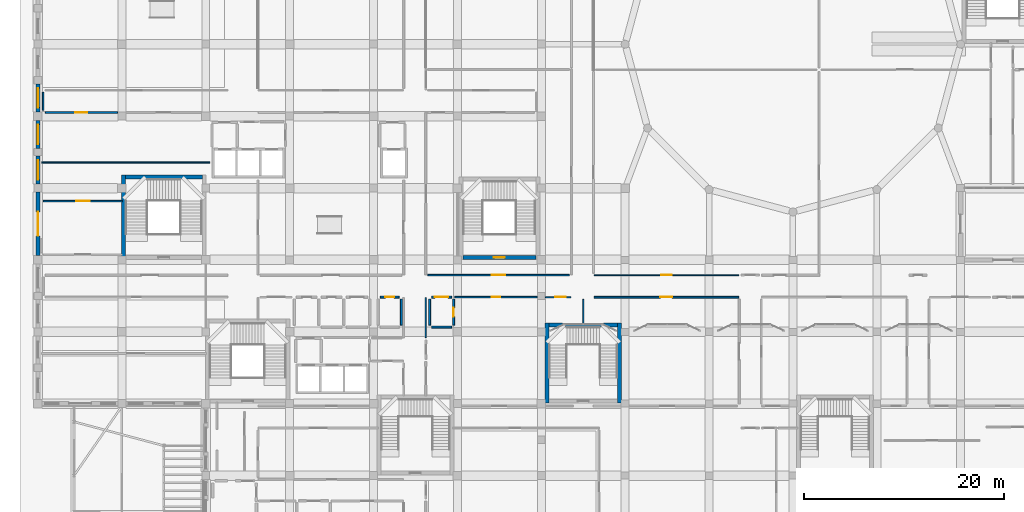
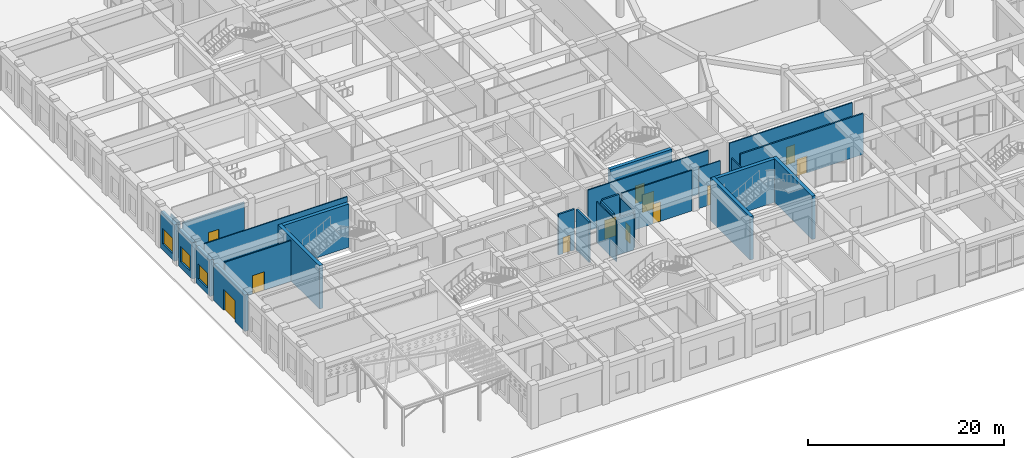
# One storey, part 63 of 84: 27 walls, 12 doors, 3 windows, 15 openings.
"""IFC4 building model written with IfcOpenShell, lengths in metres."""

from ifc_helpers import new_model, si_unit, derived_unit, direction, frame, frame_2d, origin, place, context, subcontext, project, spatial, rectangle, extrude, material, layer, layer_set, type_object, element, fill, save


model = new_model("IFC4")

# Units and contexts
model_context = context("Model", 3, precision=1e-05, world=origin(), true_north=direction((0.0, 1.0)))
body_context = subcontext(model_context, "Body", "Model", "MODEL_VIEW")
ifc_project = project(units=[si_unit("LENGTHUNIT", "METRE"), si_unit("AREAUNIT", "SQUARE_METRE"), si_unit("VOLUMEUNIT", "CUBIC_METRE"), si_unit("PLANEANGLEUNIT", "RADIAN"), si_unit("MASSUNIT", "GRAM", prefix="KILO"), derived_unit("THERMALTRANSMITTANCEUNIT", [(si_unit("POWERUNIT", "WATT"), 1), (si_unit("LENGTHUNIT", "METRE"), -2), (si_unit("THERMODYNAMICTEMPERATUREUNIT", "KELVIN"), -1)])], contexts=[model_context])

# Site, building, storey
site_placement = place(None, origin())
site = spatial("IfcSite", under=ifc_project, at=site_placement, CompositionType="ELEMENT")
building_placement = place(site_placement, origin())
building = spatial("IfcBuilding", under=site, at=building_placement, Name="Veybourne Emporium", CompositionType="ELEMENT")
storey_placement = place(building_placement, origin())
storey = spatial("IfcBuildingStorey", under=building, at=storey_placement, Name="L00", CompositionType="ELEMENT", Elevation=0.0)

# Wall, opening, door
ifc_material_1 = material(Name="Honed Black Granite Plinth", Category="masonry")
ifc_layer_1 = layer(ifc_material_1, 0.419921875)
ifc_layer_set_1 = layer_set([ifc_layer_1], Name="Honed Black Granite Plinth")
wall_type_1 = type_object("IfcWallType", Name="ExtWall_EW-02", PredefinedType="SOLIDWALL", material=ifc_layer_set_1)
wall_1_placement = place(storey_placement, frame((0.0, 29.22509765625, 0.0), z_axis=(0.0, 0.0, 1.0), x_axis=(0.0, 1.0, 0.0)))
wall_1 = element("IfcWall", 1, at=wall_1_placement, inside=storey, type_object=wall_type_1, Name="Ground street granite plinth entrance wall 004", PredefinedType="SOLIDWALL", context=body_context, shape_type="SweptSolid", body=[
    extrude(rectangle(XDim=6.375, YDim=0.419921875, at=frame_2d((3.1875, 0.0))), origin(), (0.0, 0.0, 1.0), 4.530029296875),
])
opening_1_placement = place(wall_1_placement, frame((1.987548828125, 0.0, 0.0)))
opening_1 = element("IfcOpeningElement", 2, at=opening_1_placement, cuts=wall_1, Name="Opening EX-03", PredefinedType="OPENING", context=body_context, shape_type="SweptSolid", body=[
    extrude(rectangle(XDim=2.39990234375, YDim=2.60009765625, at=frame_2d((1.199951171875, 1.300048828125))), frame((0.0, 0.22998046875, 0.0), z_axis=(0.0, -1.0, 0.0), x_axis=(1.0, 0.0, 0.0)), (0.0, 0.0, 1.0), 0.4599609375),
])
ifc_material_2 = material(Name="Patinated Architectural Bronze", Category="bronze")
door_type_1 = type_object("IfcDoorType", Name="ExitDoor_EX-03", OperationType="DOUBLE_DOOR_SINGLE_SWING", PredefinedType="DOOR", material=ifc_material_2)
door_1_placement = place(opening_1_placement, origin())
door_1 = element("IfcDoor", 3, at=door_1_placement, inside=storey, type_object=door_type_1, Name="Pedestrian final exit door EX-03 #02", OperationType="DOUBLE_DOOR_SINGLE_SWING", OverallHeight=2.60009765625, OverallWidth=2.39990234375, PredefinedType="DOOR", context=body_context, shape_type="SweptSolid", body=[
    extrude(rectangle(XDim=2.39990234375, YDim=2.60009765625, at=frame_2d((1.199951171875, 1.300048828125))), frame((0.0, 0.02490234375, 0.0), z_axis=(0.0, -1.0, 0.0), x_axis=(1.0, 0.0, 0.0)), (0.0, 0.0, 1.0), 0.050048828125),
])
fill(opening_1, door_1)

# Wall, opening, window
wall_2_placement = place(storey_placement, frame((0.0, 36.39990234375, 0.0), z_axis=(0.0, 0.0, 1.0), x_axis=(0.0, 1.0, 0.0)))
wall_2 = element("IfcWall", 4, at=wall_2_placement, inside=storey, type_object=wall_type_1, Name="L00 Portland stone external wall 005A", PredefinedType="SOLIDWALL", context=body_context, shape_type="SweptSolid", body=[
    extrude(rectangle(XDim=2.830078125, YDim=0.419921875, at=frame_2d((1.4150390625, 0.0))), origin(), (0.0, 0.0, 1.0), 4.530029296875),
])
opening_2_placement = place(wall_2_placement, frame((0.425048828125, 0.0, 0.75)))
opening_2 = element("IfcOpeningElement", 5, at=opening_2_placement, cuts=wall_2, Name="Opening W-06", PredefinedType="OPENING", context=body_context, shape_type="SweptSolid", body=[
    extrude(rectangle(XDim=1.97998046875, YDim=1.89990234375, at=frame_2d((0.989990234375, 0.949951171875))), frame((0.0, 0.22998046875, 0.0), z_axis=(0.0, -1.0, 0.0), x_axis=(1.0, 0.0, 0.0)), (0.0, 0.0, 1.0), 0.4599609375),
])
ifc_material_3 = material(Name="Low-E Triple Glazing", Category="glass")
window_type_1 = type_object("IfcWindowType", Name="Win_W-06", PartitioningType="TRIPLE_PANEL_VERTICAL", PredefinedType="WINDOW", material=ifc_material_3)
window_1_placement = place(opening_2_placement, origin())
window_1 = element("IfcWindow", 6, at=window_1_placement, inside=storey, type_object=window_type_1, Name="L00 tripartite bronze casement window W-06 (5A)", OverallHeight=1.89990234375, OverallWidth=1.97998046875, PartitioningType="TRIPLE_PANEL_VERTICAL", PredefinedType="WINDOW", context=body_context, shape_type="SweptSolid", body=[
    extrude(rectangle(XDim=1.97998046875, YDim=1.89990234375, at=frame_2d((0.989990234375, 0.949951171875))), frame((0.0, 0.030029296875, 0.0), z_axis=(0.0, -1.0, 0.0), x_axis=(1.0, 0.0, 0.0)), (0.0, 0.0, 1.0), 0.06005859375),
])
fill(opening_2, window_1)

wall_3_placement = place(storey_placement, frame((0.0, 39.969970703125, 0.0), z_axis=(0.0, 0.0, 1.0), x_axis=(0.0, 1.0, 0.0)))
wall_3 = element("IfcWall", 7, at=wall_3_placement, inside=storey, type_object=wall_type_1, Name="L00 Portland stone external wall 005B", PredefinedType="SOLIDWALL", context=body_context, shape_type="SweptSolid", body=[
    extrude(rectangle(XDim=2.804931640625, YDim=0.419921875, at=frame_2d((1.40234375, 0.0))), origin(), (0.0, 0.0, 1.0), 4.530029296875),
])
opening_3_placement = place(wall_3_placement, frame((0.422607421875, 0.0, 0.75)))
opening_3 = element("IfcOpeningElement", 8, at=opening_3_placement, cuts=wall_3, Name="Opening W-07", PredefinedType="OPENING", context=body_context, shape_type="SweptSolid", body=[
    extrude(rectangle(XDim=1.9599609375, YDim=1.89990234375, at=frame_2d((0.97998046875, 0.949951171875))), frame((0.0, 0.22998046875, 0.0), z_axis=(0.0, -1.0, 0.0), x_axis=(1.0, 0.0, 0.0)), (0.0, 0.0, 1.0), 0.4599609375),
])
window_type_2 = type_object("IfcWindowType", Name="Win_W-07", PartitioningType="TRIPLE_PANEL_VERTICAL", PredefinedType="WINDOW", material=ifc_material_3)
window_2_placement = place(opening_3_placement, origin())
window_2 = element("IfcWindow", 9, at=window_2_placement, inside=storey, type_object=window_type_2, Name="L00 tripartite bronze casement window W-07 (5B)", OverallHeight=1.89990234375, OverallWidth=1.9599609375, PartitioningType="TRIPLE_PANEL_VERTICAL", PredefinedType="WINDOW", context=body_context, shape_type="SweptSolid", body=[
    extrude(rectangle(XDim=1.9599609375, YDim=1.89990234375, at=frame_2d((0.97998046875, 0.949951171875))), frame((0.0, 0.030029296875, 0.0), z_axis=(0.0, -1.0, 0.0), x_axis=(1.0, 0.0, 0.0)), (0.0, 0.0, 1.0), 0.06005859375),
])
fill(opening_3, window_2)

wall_4_placement = place(storey_placement, frame((0.0, 43.625, 0.0), z_axis=(0.0, 0.0, 1.0), x_axis=(0.0, 1.0, 0.0)))
wall_4 = element("IfcWall", 10, at=wall_4_placement, inside=storey, type_object=wall_type_1, Name="L00 Portland stone external wall 006A", PredefinedType="SOLIDWALL", context=body_context, shape_type="SweptSolid", body=[
    extrude(rectangle(XDim=2.804931640625, YDim=0.419921875, at=frame_2d((1.40234375, 0.0))), origin(), (0.0, 0.0, 1.0), 4.530029296875),
])
opening_4_placement = place(wall_4_placement, frame((0.422607421875, 0.0, 0.75)))
opening_4 = element("IfcOpeningElement", 11, at=opening_4_placement, cuts=wall_4, Name="Opening W-08", PredefinedType="OPENING", context=body_context, shape_type="SweptSolid", body=[
    extrude(rectangle(XDim=1.9599609375, YDim=1.89990234375, at=frame_2d((0.97998046875, 0.949951171875))), frame((0.0, 0.22998046875, 0.0), z_axis=(0.0, -1.0, 0.0), x_axis=(1.0, 0.0, 0.0)), (0.0, 0.0, 1.0), 0.4599609375),
])
window_type_3 = type_object("IfcWindowType", Name="Win_W-08", PartitioningType="TRIPLE_PANEL_VERTICAL", PredefinedType="WINDOW", material=ifc_material_3)
window_3_placement = place(opening_4_placement, origin())
window_3 = element("IfcWindow", 12, at=window_3_placement, inside=storey, type_object=window_type_3, Name="L00 tripartite bronze casement window W-08 (6A)", OverallHeight=1.89990234375, OverallWidth=1.9599609375, PartitioningType="TRIPLE_PANEL_VERTICAL", PredefinedType="WINDOW", context=body_context, shape_type="SweptSolid", body=[
    extrude(rectangle(XDim=1.9599609375, YDim=1.89990234375, at=frame_2d((0.97998046875, 0.949951171875))), frame((0.0, 0.030029296875, 0.0), z_axis=(0.0, -1.0, 0.0), x_axis=(1.0, 0.0, 0.0)), (0.0, 0.0, 1.0), 0.06005859375),
])
fill(opening_4, window_3)

# Walls
ifc_material_4 = material(Name="Concrete C40/50", Category="concrete")
ifc_layer_2 = layer(ifc_material_4, 0.39990234375)
ifc_layer_set_2 = layer_set([ifc_layer_2], Name="Concrete C40/50")
wall_type_2 = type_object("IfcWallType", Name="IntWall_CW-01", PredefinedType="SHEAR", material=ifc_layer_set_2)
wall_5_placement = place(storey_placement, frame((8.75, 37.10009765625, 0.0), z_axis=(0.0, 0.0, 1.0), x_axis=(1.0, 0.0, 0.0)))
element("IfcWall", 13, at=wall_5_placement, inside=storey, type_object=wall_type_2, Name="Core stair ST-02 north shear wall (L00)", PredefinedType="SHEAR", context=body_context, shape_type="SweptSolid", body=[
    extrude(rectangle(XDim=7.699951171875, YDim=0.39990234375, at=frame_2d((3.85009765625, 0.0))), origin(), (0.0, 0.0, 1.0), 5.39990234375),
])
wall_6_placement = place(storey_placement, frame((8.550048828125, 37.300048828125, 0.0), z_axis=(0.0, 0.0, 1.0), x_axis=(0.0, -1.0, 0.0)))
element("IfcWall", 14, at=wall_6_placement, inside=storey, type_object=wall_type_2, Name="Core stair ST-02 west shear wall (L00)", PredefinedType="SHEAR", context=body_context, shape_type="SweptSolid", body=[
    extrude(rectangle(XDim=8.449951171875, YDim=0.39990234375, at=frame_2d((4.22509765625, 0.0))), origin(), (0.0, 0.0, 1.0), 5.39990234375),
])

# Wall, opening, door
wall_7_placement = place(storey_placement, frame((49.85009765625, 29.050048828125, 0.0), z_axis=(0.0, 0.0, 1.0), x_axis=(-1.0, 0.0, 0.0)))
wall_7 = element("IfcWall", 15, at=wall_7_placement, inside=storey, type_object=wall_type_2, Name="Core stair ST-05 south shear wall (L00)", PredefinedType="SHEAR", context=body_context, shape_type="SweptSolid", body=[
    extrude(rectangle(XDim=7.300048828125, YDim=0.39990234375, at=frame_2d((3.64990234375, 0.0))), origin(), (0.0, 0.0, 1.0), 5.39990234375),
])
opening_5_placement = place(wall_7_placement, frame((3.10009765625, 0.0, 0.0)))
opening_5 = element("IfcOpeningElement", 16, at=opening_5_placement, cuts=wall_7, Name="Opening FD-01", PredefinedType="OPENING", context=body_context, shape_type="SweptSolid", body=[
    extrude(rectangle(XDim=1.10009765625, YDim=2.199951171875, at=frame_2d((0.550048828125, 1.10009765625))), frame((0.0, 0.219970703125, 0.0), z_axis=(0.0, -1.0, 0.0), x_axis=(1.0, 0.0, 0.0)), (0.0, 0.0, 1.0), 0.43994140625),
])
door_type_2 = type_object("IfcDoorType", Name="FireDoor_FD-01", OperationType="NOTDEFINED", PredefinedType="DOOR", material=ifc_material_2)
door_2_placement = place(opening_5_placement, origin())
door_2 = element("IfcDoor", 17, at=door_2_placement, inside=storey, type_object=door_type_2, Name="Stair ST-05 fire door (L00)", OperationType="SINGLE_SWING_RIGHT", OverallHeight=2.199951171875, OverallWidth=1.10009765625, PredefinedType="DOOR", context=body_context, shape_type="SweptSolid", body=[
    extrude(rectangle(XDim=1.10009765625, YDim=2.199951171875, at=frame_2d((0.550048828125, 1.10009765625))), frame((0.0, 0.02490234375, 0.0), z_axis=(0.0, -1.0, 0.0), x_axis=(1.0, 0.0, 0.0)), (0.0, 0.0, 1.0), 0.050048828125),
])
fill(opening_5, door_2)

# Walls
wall_8_placement = place(storey_placement, frame((51.14990234375, 22.300048828125, 0.0), z_axis=(0.0, 0.0, 1.0), x_axis=(1.0, 0.0, 0.0)))
element("IfcWall", 18, at=wall_8_placement, inside=storey, type_object=wall_type_2, Name="Core stair ST-09 north shear wall (L00)", PredefinedType="SHEAR", context=body_context, shape_type="SweptSolid", body=[
    extrude(rectangle(XDim=6.900146484375, YDim=0.39990234375, at=frame_2d((3.4501953125, 0.0))), origin(), (0.0, 0.0, 1.0), 5.39990234375),
])
for number, where, z_axis, x_axis, name in (
    (19, (50.949951171875, 22.5, 0.0), (0.0, 0.0, 1.0), (0.0, -1.0, 0.0), "Core stair ST-09 west shear wall (L00)"),
    (20, (58.25, 14.449951171875, 0.0), (0.0, 0.0, 1.0), (0.0, 1.0, 0.0), "Core stair ST-09 east shear wall (L00)"),
):
    element("IfcWall", number, at=place(storey_placement, frame(where, z_axis=z_axis, x_axis=x_axis)), inside=storey, type_object=wall_type_2, Name=name, PredefinedType="SHEAR", context=body_context, shape_type="SweptSolid", body=[
        extrude(rectangle(XDim=8.050048828125, YDim=0.39990234375, at=frame_2d((4.02490234375, 0.0))), origin(), (0.0, 0.0, 1.0), 5.39990234375),
    ])

# Wall, opening, door
ifc_material_5 = material(Name="Gypsum Acoustic Board", Category="gypsum")
ifc_layer_3 = layer(ifc_material_5, 0.179931640625)
ifc_layer_set_3 = layer_set([ifc_layer_3], Name="Gypsum Acoustic Board")
wall_type_3 = type_object("IfcWallType", Name="IntWall_IW-01", PredefinedType="PARTITIONING", material=ifc_layer_set_3)
wall_9_placement = place(storey_placement, frame((0.72998046875, 43.570068359375, 0.0), z_axis=(0.0, 0.0, 1.0), x_axis=(1.0, 0.0, 0.0)))
wall_9 = element("IfcWall", 21, at=wall_9_placement, inside=storey, type_object=wall_type_3, Name="L00 interior partition IW-01 #017", PredefinedType="PARTITIONING", context=body_context, shape_type="SweptSolid", body=[
    extrude(rectangle(XDim=7.25, YDim=0.179931640625, at=frame_2d((3.625, 0.0))), origin(), (0.0, 0.0, 1.0), 4.580078125),
])
opening_6_placement = place(wall_9_placement, frame((3.02490234375, 0.0, 0.0)))
opening_6 = element("IfcOpeningElement", 22, at=opening_6_placement, cuts=wall_9, Name="Opening D-21", PredefinedType="OPENING", context=body_context, shape_type="SweptSolid", body=[
    extrude(rectangle(XDim=1.199951171875, YDim=2.2900390625, at=frame_2d((0.60009765625, 1.14501953125))), frame((0.0, 0.10986328125, 0.0), z_axis=(0.0, -1.0, 0.0), x_axis=(1.0, 0.0, 0.0)), (0.0, 0.0, 1.0), 0.219970703125),
])
ifc_material_6 = material(Name="European Oak Veneer and Bronze", Category="wood")
door_type_3 = type_object("IfcDoorType", Name="IntDoor_D-21", OperationType="NOTDEFINED", PredefinedType="DOOR", material=ifc_material_6)
door_3_placement = place(opening_6_placement, frame((1.199951171875, 0.0, 0.0), z_axis=(0.0, 0.0, 1.0), x_axis=(-1.0, 0.0, 0.0)))
door_3 = element("IfcDoor", 23, at=door_3_placement, inside=storey, type_object=door_type_3, Name="L00 interior door D-21 (PART-L00-017)", OperationType="SINGLE_SWING_RIGHT", OverallHeight=2.2900390625, OverallWidth=1.199951171875, PredefinedType="DOOR", context=body_context, shape_type="SweptSolid", body=[
    extrude(rectangle(XDim=1.199951171875, YDim=2.2900390625, at=frame_2d((0.60009765625, 1.14501953125))), frame((0.0, 0.02490234375, 0.0), z_axis=(0.0, -1.0, 0.0), x_axis=(1.0, 0.0, 0.0)), (0.0, 0.0, 1.0), 0.050048828125),
])
fill(opening_6, door_3)

wall_10_placement = place(storey_placement, frame((55.679931640625, 25.070068359375, 0.0), z_axis=(0.0, 0.0, 1.0), x_axis=(1.0, 0.0, 0.0)))
wall_10 = element("IfcWall", 24, at=wall_10_placement, inside=storey, type_object=wall_type_3, Name="L00 interior partition IW-01 #041", PredefinedType="PARTITIONING", context=body_context, shape_type="SweptSolid", body=[
    extrude(rectangle(XDim=14.489990234375, YDim=0.179931640625, at=frame_2d((7.2451171875, 0.0))), origin(), (0.0, 0.0, 1.0), 5.080078125),
])
opening_7_placement = place(wall_10_placement, frame((6.64501953125, 0.0, 0.0)))
opening_7 = element("IfcOpeningElement", 25, at=opening_7_placement, cuts=wall_10, Name="Opening D-09", PredefinedType="OPENING", context=body_context, shape_type="SweptSolid", body=[
    extrude(rectangle(XDim=1.199951171875, YDim=2.1298828125, at=frame_2d((0.60009765625, 1.06494140625))), frame((0.0, 0.10986328125, 0.0), z_axis=(0.0, -1.0, 0.0), x_axis=(1.0, 0.0, 0.0)), (0.0, 0.0, 1.0), 0.219970703125),
])
door_type_4 = type_object("IfcDoorType", Name="IntDoor_D-09", OperationType="NOTDEFINED", PredefinedType="DOOR", material=ifc_material_6)
door_4_placement = place(opening_7_placement, frame((1.199951171875, 0.0, 0.0), z_axis=(0.0, 0.0, 1.0), x_axis=(-1.0, 0.0, 0.0)))
door_4 = element("IfcDoor", 26, at=door_4_placement, inside=storey, type_object=door_type_4, Name="L00 interior door D-09 (PART-L00-041)", OperationType="SINGLE_SWING_RIGHT", OverallHeight=2.1298828125, OverallWidth=1.199951171875, PredefinedType="DOOR", context=body_context, shape_type="SweptSolid", body=[
    extrude(rectangle(XDim=1.199951171875, YDim=2.1298828125, at=frame_2d((0.60009765625, 1.06494140625))), frame((0.0, 0.02490234375, 0.0), z_axis=(0.0, -1.0, 0.0), x_axis=(1.0, 0.0, 0.0)), (0.0, 0.0, 1.0), 0.050048828125),
])
fill(opening_7, door_4)

ifc_layer_4 = layer(ifc_material_5, 0.14990234375)
ifc_layer_set_4 = layer_set([ifc_layer_4], Name="Gypsum Acoustic Board")
wall_type_4 = type_object("IfcWallType", Name="IntWall_IW-02", PredefinedType="PARTITIONING", material=ifc_layer_set_4)
wall_11_placement = place(storey_placement, frame((39.0400390625, 27.280029296875, 0.0), z_axis=(0.0, 0.0, 1.0), x_axis=(1.0, 0.0, 0.0)))
wall_11 = element("IfcWall", 27, at=wall_11_placement, inside=storey, type_object=wall_type_4, Name="L00 interior partition IW-02 #048", PredefinedType="PARTITIONING", context=body_context, shape_type="SweptSolid", body=[
    extrude(rectangle(XDim=14.169921875, YDim=0.14990234375, at=frame_2d((7.0849609375, 0.0))), origin(), (0.0, 0.0, 1.0), 5.080078125),
])
opening_8_placement = place(wall_11_placement, frame((6.405029296875, 0.0, 0.0)))
opening_8 = element("IfcOpeningElement", 28, at=opening_8_placement, cuts=wall_11, Name="Opening D-16", PredefinedType="OPENING", context=body_context, shape_type="SweptSolid", body=[
    extrude(rectangle(XDim=1.360107421875, YDim=2.2099609375, at=frame_2d((0.68017578125, 1.10498046875))), frame((0.0, 0.094970703125, 0.0), z_axis=(0.0, -1.0, 0.0), x_axis=(1.0, 0.0, 0.0)), (0.0, 0.0, 1.0), 0.18994140625),
])
door_type_5 = type_object("IfcDoorType", Name="IntDoor_D-16", OperationType="NOTDEFINED", PredefinedType="DOOR", material=ifc_material_6)
door_5_placement = place(opening_8_placement, origin())
door_5 = element("IfcDoor", 29, at=door_5_placement, inside=storey, type_object=door_type_5, Name="L00 interior door D-16 (PART-L00-048)", OperationType="SINGLE_SWING_RIGHT", OverallHeight=2.2099609375, OverallWidth=1.360107421875, PredefinedType="DOOR", context=body_context, shape_type="SweptSolid", body=[
    extrude(rectangle(XDim=1.360107421875, YDim=2.2099609375, at=frame_2d((0.68017578125, 1.10498046875))), frame((0.0, 0.02490234375, 0.0), z_axis=(0.0, -1.0, 0.0), x_axis=(1.0, 0.0, 0.0)), (0.0, 0.0, 1.0), 0.050048828125),
])
fill(opening_8, door_5)

wall_12_placement = place(storey_placement, frame((41.735107421875, 25.070068359375, 0.0), z_axis=(0.0, 0.0, 1.0), x_axis=(1.0, 0.0, 0.0)))
wall_12 = element("IfcWall", 30, at=wall_12_placement, inside=storey, type_object=wall_type_4, Name="L00 interior partition IW-02 #063", PredefinedType="PARTITIONING", context=body_context, shape_type="SweptSolid", body=[
    extrude(rectangle(XDim=8.2548828125, YDim=0.14990234375, at=frame_2d((4.12744140625, 0.0))), origin(), (0.0, 0.0, 1.0), 5.080078125),
])
opening_9_placement = place(wall_12_placement, frame((3.6875, 0.0, 0.0)))
opening_9 = element("IfcOpeningElement", 31, at=opening_9_placement, cuts=wall_12, Name="Opening D-31", PredefinedType="OPENING", context=body_context, shape_type="SweptSolid", body=[
    extrude(rectangle(XDim=0.8798828125, YDim=2.449951171875, at=frame_2d((0.43994140625, 1.22509765625))), frame((0.0, 0.094970703125, 0.0), z_axis=(0.0, -1.0, 0.0), x_axis=(1.0, 0.0, 0.0)), (0.0, 0.0, 1.0), 0.18994140625),
])
door_type_6 = type_object("IfcDoorType", Name="IntDoor_D-31", OperationType="NOTDEFINED", PredefinedType="DOOR", material=ifc_material_6)
door_6_placement = place(opening_9_placement, frame((0.8798828125, 0.0, 0.0), z_axis=(0.0, 0.0, 1.0), x_axis=(-1.0, 0.0, 0.0)))
door_6 = element("IfcDoor", 32, at=door_6_placement, inside=storey, type_object=door_type_6, Name="L00 interior door D-31 (PART-L00-063)", OperationType="SINGLE_SWING_RIGHT", OverallHeight=2.449951171875, OverallWidth=0.8798828125, PredefinedType="DOOR", context=body_context, shape_type="SweptSolid", body=[
    extrude(rectangle(XDim=0.8798828125, YDim=2.449951171875, at=frame_2d((0.43994140625, 1.22509765625))), frame((0.0, 0.02490234375, 0.0), z_axis=(0.0, -1.0, 0.0), x_axis=(1.0, 0.0, 0.0)), (0.0, 0.0, 1.0), 0.050048828125),
])
fill(opening_9, door_6)

wall_13_placement = place(storey_placement, frame((0.530029296875, 34.679931640625, 0.0), z_axis=(0.0, 0.0, 1.0), x_axis=(1.0, 0.0, 0.0)))
wall_13 = element("IfcWall", 33, at=wall_13_placement, inside=storey, type_object=wall_type_4, Name="L00 interior partition IW-02 #090", PredefinedType="PARTITIONING", context=body_context, shape_type="SweptSolid", body=[
    extrude(rectangle(XDim=7.929931640625, YDim=0.14990234375, at=frame_2d((3.96484375, 0.0))), origin(), (0.0, 0.0, 1.0), 5.080078125),
])
opening_10_placement = place(wall_13_placement, frame((3.284912109375, 0.0, 0.0)))
opening_10 = element("IfcOpeningElement", 34, at=opening_10_placement, cuts=wall_13, Name="Opening D-22", PredefinedType="OPENING", context=body_context, shape_type="SweptSolid", body=[
    extrude(rectangle(XDim=1.360107421875, YDim=2.2900390625, at=frame_2d((0.68017578125, 1.14501953125))), frame((0.0, 0.094970703125, 0.0), z_axis=(0.0, -1.0, 0.0), x_axis=(1.0, 0.0, 0.0)), (0.0, 0.0, 1.0), 0.18994140625),
])
door_type_7 = type_object("IfcDoorType", Name="IntDoor_D-22", OperationType="NOTDEFINED", PredefinedType="DOOR", material=ifc_material_6)
door_7_placement = place(opening_10_placement, origin())
door_7 = element("IfcDoor", 35, at=door_7_placement, inside=storey, type_object=door_type_7, Name="L00 interior door D-22 (PART-L00-090)", OperationType="SINGLE_SWING_LEFT", OverallHeight=2.2900390625, OverallWidth=1.360107421875, PredefinedType="DOOR", context=body_context, shape_type="SweptSolid", body=[
    extrude(rectangle(XDim=1.360107421875, YDim=2.2900390625, at=frame_2d((0.68017578125, 1.14501953125))), frame((0.0, 0.02490234375, 0.0), z_axis=(0.0, -1.0, 0.0), x_axis=(1.0, 0.0, 0.0)), (0.0, 0.0, 1.0), 0.050048828125),
])
fill(opening_10, door_7)

# Wall
wall_14_placement = place(storey_placement, frame((0.52001953125, 43.780029296875, 0.0), z_axis=(0.0, 0.0, 1.0), x_axis=(0.0, 1.0, 0.0)))
element("IfcWall", 36, at=wall_14_placement, inside=storey, type_object=wall_type_4, Name="L00 interior partition IW-02 #183", PredefinedType="PARTITIONING", context=body_context, shape_type="SweptSolid", body=[
    extrude(rectangle(XDim=1.7900390625, YDim=0.14990234375, at=frame_2d((0.89501953125, 0.0))), origin(), (0.0, 0.0, 1.0), 4.530029296875),
])

# Wall, opening, door
ifc_layer_5 = layer(ifc_material_5, 0.1201171875)
ifc_layer_set_5 = layer_set([ifc_layer_5], Name="Gypsum Acoustic Board")
wall_type_5 = type_object("IfcWallType", Name="IntWall_IW-03", PredefinedType="PARTITIONING", material=ifc_layer_set_5)
wall_15_placement = place(storey_placement, frame((55.679931640625, 27.280029296875, 0.0), z_axis=(0.0, 0.0, 1.0), x_axis=(1.0, 0.0, 0.0)))
wall_15 = element("IfcWall", 37, at=wall_15_placement, inside=storey, type_object=wall_type_5, Name="L00 interior partition IW-03 #046", PredefinedType="PARTITIONING", context=body_context, shape_type="SweptSolid", body=[
    extrude(rectangle(XDim=14.489990234375, YDim=0.1201171875, at=frame_2d((7.2451171875, 0.0))), origin(), (0.0, 0.0, 1.0), 5.080078125),
])
opening_11_placement = place(wall_15_placement, frame((6.72509765625, 0.0, 0.0)))
opening_11 = element("IfcOpeningElement", 38, at=opening_11_placement, cuts=wall_15, Name="Opening D-14", PredefinedType="OPENING", context=body_context, shape_type="SweptSolid", body=[
    extrude(rectangle(XDim=1.0400390625, YDim=2.2099609375, at=frame_2d((0.52001953125, 1.10498046875))), frame((0.0, 0.080078125, 0.0), z_axis=(0.0, -1.0, 0.0), x_axis=(1.0, 0.0, 0.0)), (0.0, 0.0, 1.0), 0.16015625),
])
door_type_8 = type_object("IfcDoorType", Name="IntDoor_D-14", OperationType="NOTDEFINED", PredefinedType="DOOR", material=ifc_material_6)
door_8_placement = place(opening_11_placement, origin())
door_8 = element("IfcDoor", 39, at=door_8_placement, inside=storey, type_object=door_type_8, Name="L00 interior door D-14 (PART-L00-046)", OperationType="SINGLE_SWING_RIGHT", OverallHeight=2.2099609375, OverallWidth=1.0400390625, PredefinedType="DOOR", context=body_context, shape_type="SweptSolid", body=[
    extrude(rectangle(XDim=1.0400390625, YDim=2.2099609375, at=frame_2d((0.52001953125, 1.10498046875))), frame((0.0, 0.02490234375, 0.0), z_axis=(0.0, -1.0, 0.0), x_axis=(1.0, 0.0, 0.0)), (0.0, 0.0, 1.0), 0.050048828125),
])
fill(opening_11, door_8)

wall_16_placement = place(storey_placement, frame((50.81005859375, 25.070068359375, 0.0), z_axis=(0.0, 0.0, 1.0), x_axis=(1.0, 0.0, 0.0)))
wall_16 = element("IfcWall", 40, at=wall_16_placement, inside=storey, type_object=wall_type_5, Name="L00 interior partition IW-03 #064", PredefinedType="PARTITIONING", context=body_context, shape_type="SweptSolid", body=[
    extrude(rectangle(XDim=2.56005859375, YDim=0.1201171875, at=frame_2d((1.280029296875, 0.0))), origin(), (0.0, 0.0, 1.0), 5.080078125),
])
opening_12_placement = place(wall_16_placement, frame((1.003173828125, 0.0, 0.0)))
opening_12 = element("IfcOpeningElement", 41, at=opening_12_placement, cuts=wall_16, Name="Opening D-32", PredefinedType="OPENING", context=body_context, shape_type="SweptSolid", body=[
    extrude(rectangle(XDim=1.0400390625, YDim=2.449951171875, at=frame_2d((0.52001953125, 1.22509765625))), frame((0.0, 0.080078125, 0.0), z_axis=(0.0, -1.0, 0.0), x_axis=(1.0, 0.0, 0.0)), (0.0, 0.0, 1.0), 0.16015625),
])
door_type_9 = type_object("IfcDoorType", Name="IntDoor_D-32", OperationType="NOTDEFINED", PredefinedType="DOOR", material=ifc_material_6)
door_9_placement = place(opening_12_placement, frame((1.0400390625, 0.0, 0.0), z_axis=(0.0, 0.0, 1.0), x_axis=(-1.0, 0.0, 0.0)))
door_9 = element("IfcDoor", 42, at=door_9_placement, inside=storey, type_object=door_type_9, Name="L00 interior door D-32 (PART-L00-064)", OperationType="SINGLE_SWING_LEFT", OverallHeight=2.449951171875, OverallWidth=1.0400390625, PredefinedType="DOOR", context=body_context, shape_type="SweptSolid", body=[
    extrude(rectangle(XDim=1.0400390625, YDim=2.449951171875, at=frame_2d((0.52001953125, 1.22509765625))), frame((0.0, 0.02490234375, 0.0), z_axis=(0.0, -1.0, 0.0), x_axis=(1.0, 0.0, 0.0)), (0.0, 0.0, 1.0), 0.050048828125),
])
fill(opening_12, door_9)

# Walls
wall_17_placement = place(storey_placement, frame((38.830078125, 21.030029296875, 0.0), z_axis=(0.0, 0.0, 1.0), x_axis=(0.0, 1.0, 0.0)))
element("IfcWall", 43, at=wall_17_placement, inside=storey, type_object=wall_type_5, Name="L00 interior partition IW-03 #124", PredefinedType="PARTITIONING", context=body_context, shape_type="SweptSolid", body=[
    extrude(rectangle(XDim=3.989990234375, YDim=0.1201171875, at=frame_2d((1.9951171875, 0.0))), origin(), (0.0, 0.0, 1.0), 5.080078125),
])
wall_18_placement = place(storey_placement, frame((54.60498046875, 22.389892578125, 0.0), z_axis=(0.0, 0.0, 1.0), x_axis=(0.0, 1.0, 0.0)))
element("IfcWall", 44, at=wall_18_placement, inside=storey, type_object=wall_type_5, Name="L00 interior partition IW-03 #151", PredefinedType="PARTITIONING", context=body_context, shape_type="SweptSolid", body=[
    extrude(rectangle(XDim=2.47021484375, YDim=0.1201171875, at=frame_2d((1.235107421875, 0.0))), origin(), (0.0, 0.0, 1.0), 5.080078125),
])
wall_19_placement = place(storey_placement, frame((0.3701171875, 38.56005859375, 0.0), z_axis=(0.0, 0.0, 1.0), x_axis=(1.0, 0.0, 0.0)))
element("IfcWall", 45, at=wall_19_placement, inside=storey, type_object=wall_type_5, Name="L00 interior partition IW-03 #205", PredefinedType="PARTITIONING", context=body_context, shape_type="SweptSolid", body=[
    extrude(rectangle(XDim=16.83984375, YDim=0.1201171875, at=frame_2d((8.419921875, 0.0))), origin(), (0.0, 0.0, 1.0), 5.080078125),
])

# Wall, opening, door
ifc_layer_6 = layer(ifc_material_5, 0.199951171875)
ifc_layer_set_6 = layer_set([ifc_layer_6], Name="Gypsum Acoustic Board")
wall_type_6 = type_object("IfcWallType", Name="IntWall_IW-04", PredefinedType="PLUMBINGWALL", material=ifc_layer_set_6)
wall_20_placement = place(storey_placement, frame((41.6298828125, 22.280029296875, 0.0), z_axis=(0.0, 0.0, 1.0), x_axis=(0.0, 1.0, 0.0)))
wall_20 = element("IfcWall", 46, at=wall_20_placement, inside=storey, type_object=wall_type_6, Name="L00 interior partition IW-04 #147", PredefinedType="PLUMBINGWALL", context=body_context, shape_type="SweptSolid", body=[
    extrude(rectangle(XDim=2.590087890625, YDim=0.199951171875, at=frame_2d((1.294921875, 0.0))), origin(), (0.0, 0.0, 1.0), 4.580078125),
])
opening_13_placement = place(wall_20_placement, frame((0.85498046875, 0.0, 0.0)))
opening_13 = element("IfcOpeningElement", 47, at=opening_13_placement, cuts=wall_20, Name="Opening D-07", PredefinedType="OPENING", context=body_context, shape_type="SweptSolid", body=[
    extrude(rectangle(XDim=0.8798828125, YDim=2.1298828125, at=frame_2d((0.43994140625, 1.06494140625))), frame((0.0, 0.1201171875, 0.0), z_axis=(0.0, -1.0, 0.0), x_axis=(1.0, 0.0, 0.0)), (0.0, 0.0, 1.0), 0.239990234375),
])
door_type_10 = type_object("IfcDoorType", Name="IntDoor_D-07", OperationType="NOTDEFINED", PredefinedType="DOOR", material=ifc_material_6)
door_10_placement = place(opening_13_placement, origin())
door_10 = element("IfcDoor", 48, at=door_10_placement, inside=storey, type_object=door_type_10, Name="L00 interior door D-07 (PART-L00-147)", OperationType="SINGLE_SWING_RIGHT", OverallHeight=2.1298828125, OverallWidth=0.8798828125, PredefinedType="DOOR", context=body_context, shape_type="SweptSolid", body=[
    extrude(rectangle(XDim=0.8798828125, YDim=2.1298828125, at=frame_2d((0.43994140625, 1.06494140625))), frame((0.0, 0.02490234375, 0.0), z_axis=(0.0, -1.0, 0.0), x_axis=(1.0, 0.0, 0.0)), (0.0, 0.0, 1.0), 0.050048828125),
])
fill(opening_13, door_10)

# Wall
wall_21_placement = place(storey_placement, frame((39.219970703125, 22.280029296875, 0.0), z_axis=(0.0, 0.0, 1.0), x_axis=(0.0, 1.0, 0.0)))
element("IfcWall", 49, at=wall_21_placement, inside=storey, type_object=wall_type_6, Name="L00 interior partition IW-04 #148", PredefinedType="PLUMBINGWALL", context=body_context, shape_type="SweptSolid", body=[
    extrude(rectangle(XDim=2.590087890625, YDim=0.199951171875, at=frame_2d((1.294921875, 0.0))), origin(), (0.0, 0.0, 1.0), 5.080078125),
])

# Wall, opening, door
wall_22_placement = place(storey_placement, frame((39.429931640625, 25.080078125, 0.0), z_axis=(0.0, 0.0, 1.0), x_axis=(1.0, 0.0, 0.0)))
wall_22 = element("IfcWall", 50, at=wall_22_placement, inside=storey, type_object=wall_type_6, Name="L00 interior partition IW-04 #168", PredefinedType="PLUMBINGWALL", context=body_context, shape_type="SweptSolid", body=[
    extrude(rectangle(XDim=1.989990234375, YDim=0.199951171875, at=frame_2d((0.9951171875, 0.0))), origin(), (0.0, 0.0, 1.0), 5.080078125),
])
opening_14_placement = place(wall_22_placement, frame((0.31494140625, 0.0, 0.0)))
opening_14 = element("IfcOpeningElement", 51, at=opening_14_placement, cuts=wall_22, Name="Opening D-28", PredefinedType="OPENING", context=body_context, shape_type="SweptSolid", body=[
    extrude(rectangle(XDim=1.360107421875, YDim=2.3701171875, at=frame_2d((0.68017578125, 1.18505859375))), frame((0.0, 0.1201171875, 0.0), z_axis=(0.0, -1.0, 0.0), x_axis=(1.0, 0.0, 0.0)), (0.0, 0.0, 1.0), 0.239990234375),
])
door_type_11 = type_object("IfcDoorType", Name="IntDoor_D-28", OperationType="NOTDEFINED", PredefinedType="DOOR", material=ifc_material_6)
door_11_placement = place(opening_14_placement, frame((1.360107421875, 0.0, 0.0), z_axis=(0.0, 0.0, 1.0), x_axis=(-1.0, 0.0, 0.0)))
door_11 = element("IfcDoor", 52, at=door_11_placement, inside=storey, type_object=door_type_11, Name="L00 interior door D-28 (PART-L00-168)", OperationType="SINGLE_SWING_RIGHT", OverallHeight=2.3701171875, OverallWidth=1.360107421875, PredefinedType="DOOR", context=body_context, shape_type="SweptSolid", body=[
    extrude(rectangle(XDim=1.360107421875, YDim=2.3701171875, at=frame_2d((0.68017578125, 1.18505859375))), frame((0.0, 0.02490234375, 0.0), z_axis=(0.0, -1.0, 0.0), x_axis=(1.0, 0.0, 0.0)), (0.0, 0.0, 1.0), 0.050048828125),
])
fill(opening_14, door_11)

# Wall
wall_23_placement = place(storey_placement, frame((39.429931640625, 22.070068359375, 0.0), z_axis=(0.0, 0.0, 1.0), x_axis=(1.0, 0.0, 0.0)))
element("IfcWall", 53, at=wall_23_placement, inside=storey, type_object=wall_type_6, Name="L00 interior partition IW-04 #169", PredefinedType="PLUMBINGWALL", context=body_context, shape_type="SweptSolid", body=[
    extrude(rectangle(XDim=1.989990234375, YDim=0.199951171875, at=frame_2d((0.9951171875, 0.0))), origin(), (0.0, 0.0, 1.0), 4.580078125),
])

# Wall, opening, door
wall_24_placement = place(storey_placement, frame((34.280029296875, 25.080078125, 0.0), z_axis=(0.0, 0.0, 1.0), x_axis=(1.0, 0.0, 0.0)))
wall_24 = element("IfcWall", 54, at=wall_24_placement, inside=storey, type_object=wall_type_6, Name="L00 interior partition IW-04 #176", PredefinedType="PLUMBINGWALL", context=body_context, shape_type="SweptSolid", body=[
    extrude(rectangle(XDim=1.889892578125, YDim=0.199951171875, at=frame_2d((0.94482421875, 0.0))), origin(), (0.0, 0.0, 1.0), 5.080078125),
])
opening_15_placement = place(wall_24_placement, frame((0.5048828125, 0.0, 0.0)))
opening_15 = element("IfcOpeningElement", 55, at=opening_15_placement, cuts=wall_24, Name="Opening D-01", PredefinedType="OPENING", context=body_context, shape_type="SweptSolid", body=[
    extrude(rectangle(XDim=0.8798828125, YDim=2.050048828125, at=frame_2d((0.43994140625, 1.02490234375))), frame((0.0, 0.1201171875, 0.0), z_axis=(0.0, -1.0, 0.0), x_axis=(1.0, 0.0, 0.0)), (0.0, 0.0, 1.0), 0.239990234375),
])
door_type_12 = type_object("IfcDoorType", Name="IntDoor_D-01", OperationType="NOTDEFINED", PredefinedType="DOOR", material=ifc_material_6)
door_12_placement = place(opening_15_placement, frame((0.8798828125, 0.0, 0.0), z_axis=(0.0, 0.0, 1.0), x_axis=(-1.0, 0.0, 0.0)))
door_12 = element("IfcDoor", 56, at=door_12_placement, inside=storey, type_object=door_type_12, Name="L00 interior door D-01 (PART-L00-176)", OperationType="SINGLE_SWING_LEFT", OverallHeight=2.050048828125, OverallWidth=0.8798828125, PredefinedType="DOOR", context=body_context, shape_type="SweptSolid", body=[
    extrude(rectangle(XDim=0.8798828125, YDim=2.050048828125, at=frame_2d((0.43994140625, 1.02490234375))), frame((0.0, 0.02490234375, 0.0), z_axis=(0.0, -1.0, 0.0), x_axis=(1.0, 0.0, 0.0)), (0.0, 0.0, 1.0), 0.050048828125),
])
fill(opening_15, door_12)

# Wall
wall_25_placement = place(storey_placement, frame((36.3798828125, 22.280029296875, 0.0), z_axis=(0.0, 0.0, 1.0), x_axis=(0.0, 1.0, 0.0)))
element("IfcWall", 57, at=wall_25_placement, inside=storey, type_object=wall_type_6, Name="L00 interior partition IW-04 #224", PredefinedType="PLUMBINGWALL", context=body_context, shape_type="SweptSolid", body=[
    extrude(rectangle(XDim=2.590087890625, YDim=0.199951171875, at=frame_2d((1.294921875, 0.0))), origin(), (0.0, 0.0, 1.0), 5.080078125),
])

save(model, "model.ifc")
